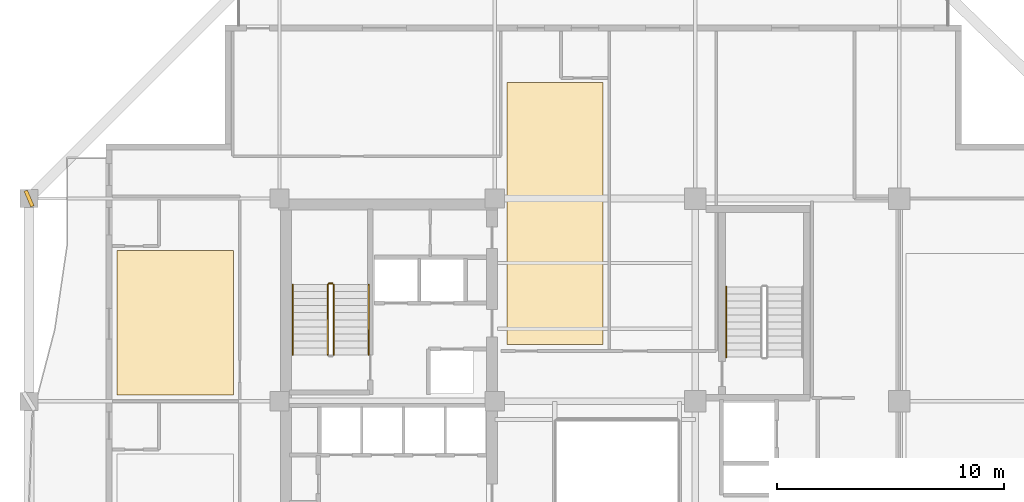
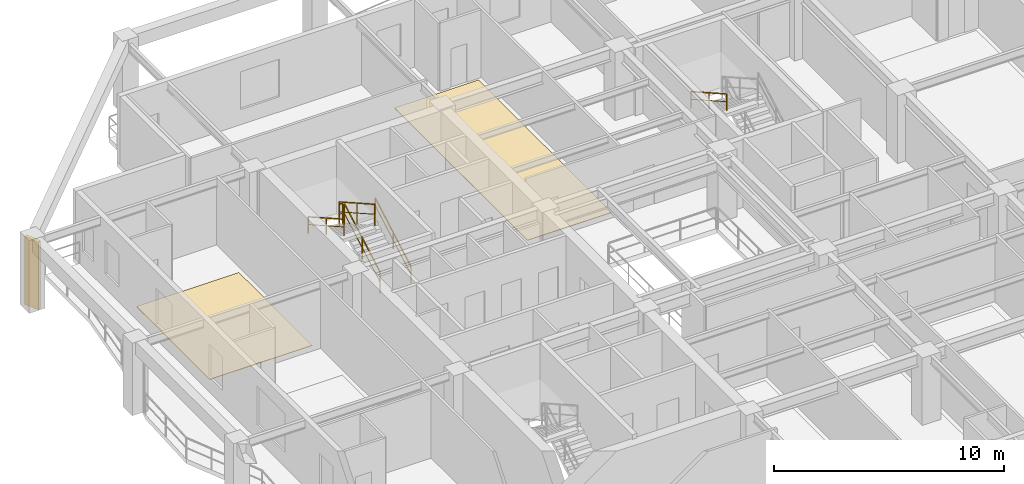
# One storey, part 11 of 13: 6 railings, 2 coverings, 1 shading device.
"""IFC4 building model written with IfcOpenShell, lengths in metres."""

from ifc_helpers import new_model, si_unit, direction, frame, origin, origin_2d, place, context, subcontext, project, spatial, polyline, rectangle, outline, extrude, material, layer, layer_set, type_object, element, save


model = new_model("IFC4")

# Units and contexts
model_context = context("Model", 3, precision=1e-05, world=origin(), true_north=direction((0.0, 1.0)))
body_context = subcontext(model_context, "Body", "Model", "MODEL_VIEW")
ifc_project = project(units=[si_unit("LENGTHUNIT", "METRE"), si_unit("AREAUNIT", "SQUARE_METRE"), si_unit("VOLUMEUNIT", "CUBIC_METRE"), si_unit("PLANEANGLEUNIT", "RADIAN"), si_unit("MASSUNIT", "GRAM", prefix="KILO")], contexts=[model_context])

# Site, building, storey
site_placement = place(None, origin())
site = spatial("IfcSite", under=ifc_project, at=site_placement, CompositionType="ELEMENT")
building_placement = place(site_placement, origin())
building = spatial("IfcBuilding", under=site, at=building_placement, Name="Kundavana Baori Tower", CompositionType="ELEMENT")
storey_placement = place(building_placement, frame((0.0, 0.0, 177.14990234375)))
storey = spatial("IfcBuildingStorey", under=building, at=storey_placement, Name="L43", CompositionType="ELEMENT", Elevation=177.14990234375)

# Coverings
ifc_material_1 = material(Name="Honed Kota Stone and Terrazzo Flooring", Category="masonry")
ifc_layer = layer(ifc_material_1, 0.030029296875, Name="COV-INT-FLR")
ifc_layer_set = layer_set([ifc_layer], Name="Honed Kota Stone and Terrazzo Flooring")
covering_type = type_object("IfcCoveringType", Name="COV-INT-FLR", PredefinedType="FLOORING", material=ifc_layer_set)
covering_1_placement = place(storey_placement, origin())
element("IfcCovering", 1, at=covering_1_placement, inside=storey, type_object=covering_type, Name="L43 Room Finished Stone Flooring 3", PredefinedType="FLOORING", context=body_context, shape_type="SweptSolid", body=[
    extrude(outline(polyline([(8.280029296875, 33.280029296875), (13.419921875, 33.280029296875), (13.419921875, 39.64990234375), (8.280029296875, 39.64990234375), (8.280029296875, 33.280029296875)])), origin(), (0.0, 0.0, 1.0), 0.030029296875),
])
covering_2_placement = place(storey_placement, origin())
element("IfcCovering", 2, at=covering_2_placement, inside=storey, type_object=covering_type, Name="L43 Room Finished Stone Flooring 9", PredefinedType="FLOORING", context=body_context, shape_type="SweptSolid", body=[
    extrude(outline(polyline([(25.5, 35.5), (29.719970703125, 35.5), (29.719970703125, 47.070068359375), (25.5, 47.070068359375), (25.5, 35.5)])), origin(), (0.0, 0.0, 1.0), 0.030029296875),
])

# Railings
ifc_material_2 = material(Name="Architectural Patinated Bronze Metalwork")
railing_type_1 = type_object("IfcRailingType", Name="RL-GRD-1150", PredefinedType="GUARDRAIL", material=ifc_material_2)
railing_1_placement = place(storey_placement, frame((17.840087890625, 35.050048828125, 0.175048828125)))
element("IfcRailing", 3, at=railing_1_placement, inside=storey, type_object=railing_type_1, Name="L43 ST2 stair guard 1", PredefinedType="GUARDRAIL", context=body_context, shape_type="SweptSolid", body=[
    extrude(rectangle(XDim=0.048095703125, YDim=0.048095703125, at=origin_2d()), frame((0.0, 0.0, 1.1259765625), z_axis=(0.0, 0.870814364268, 0.491611984175), x_axis=(-1.0, 0.0, 0.0)), (0.0, 0.0, 1.0), 3.559814453125),
    extrude(rectangle(XDim=0.03125, YDim=0.03125, at=origin_2d()), frame((0.0, 0.0, 0.597900390625), z_axis=(0.0, 0.870814364268, 0.491611984175), x_axis=(-1.0, 0.0, 0.0)), (0.0, 0.0, 1.0), 3.559814453125),
    extrude(rectangle(XDim=0.0419921875, YDim=0.0419921875, at=origin_2d()), origin(), (0.0, 0.0, 1.0), 1.101806640625),
    extrude(rectangle(XDim=0.0419921875, YDim=0.0419921875, at=origin_2d()), frame((0.0, 1.5498046875, 0.875)), (0.0, 0.0, 1.0), 1.101806640625),
    extrude(rectangle(XDim=0.0419921875, YDim=0.0419921875, at=origin_2d()), frame((0.0, 3.099853515625, 1.75)), (0.0, 0.0, 1.0), 1.101806640625),
])
railing_2_placement = place(storey_placement, frame((17.7900390625, 38.199951171875, 1.925048828125)))
element("IfcRailing", 4, at=railing_2_placement, inside=storey, type_object=railing_type_1, Name="L43 ST2 stair guard 2", PredefinedType="GUARDRAIL", context=body_context, shape_type="SweptSolid", body=[
    extrude(rectangle(XDim=0.048095703125, YDim=0.048095703125, at=origin_2d()), frame((0.0, 0.0, 1.1259765625), z_axis=(-1.0, 0.0, 0.0), x_axis=(0.0, -1.0, 0.0)), (0.0, 0.0, 1.0), 0.16015625),
    extrude(rectangle(XDim=0.03125, YDim=0.03125, at=origin_2d()), frame((0.0, 0.0, 0.597900390625), z_axis=(-1.0, 0.0, 0.0), x_axis=(0.0, -1.0, 0.0)), (0.0, 0.0, 1.0), 0.16015625),
    extrude(rectangle(XDim=0.0419921875, YDim=0.0419921875, at=origin_2d()), origin(), (0.0, 0.0, 1.0), 1.101806640625),
    extrude(rectangle(XDim=0.0419921875, YDim=0.0419921875, at=origin_2d()), frame((-0.16015625, 0.0, 0.0)), (0.0, 0.0, 1.0), 1.101806640625),
])
railing_3_placement = place(storey_placement, frame((17.580078125, 38.14990234375, 2.10009765625)))
element("IfcRailing", 5, at=railing_3_placement, inside=storey, type_object=railing_type_1, Name="L43 ST2 stair guard 3", PredefinedType="GUARDRAIL", context=body_context, shape_type="SweptSolid", body=[
    extrude(rectangle(XDim=0.048095703125, YDim=0.048095703125, at=origin_2d()), frame((0.0, 0.0, 1.1259765625), z_axis=(0.0, -0.870814364268, 0.491611984175), x_axis=(1.0, 0.0, 0.0)), (0.0, 0.0, 1.0), 3.559814453125),
    extrude(rectangle(XDim=0.03125, YDim=0.03125, at=origin_2d()), frame((0.0, 0.0, 0.597900390625), z_axis=(0.0, -0.870814364268, 0.491611984175), x_axis=(1.0, 0.0, 0.0)), (0.0, 0.0, 1.0), 3.559814453125),
    extrude(rectangle(XDim=0.0419921875, YDim=0.0419921875, at=origin_2d()), origin(), (0.0, 0.0, 1.0), 1.101806640625),
    extrude(rectangle(XDim=0.0419921875, YDim=0.0419921875, at=origin_2d()), frame((0.0, -1.5498046875, 0.875)), (0.0, 0.0, 1.0), 1.101806640625),
    extrude(rectangle(XDim=0.0419921875, YDim=0.0419921875, at=origin_2d()), frame((0.0, -3.099853515625, 1.75)), (0.0, 0.0, 1.0), 1.101806640625),
])
ifc_material_3 = material(Name="Architectural Patinated Bronze Metalwork")
railing_type_2 = type_object("IfcRailingType", Name="RL-HND-920", PredefinedType="HANDRAIL", material=ifc_material_3)
railing_4_placement = place(storey_placement, frame((19.389892578125, 35.050048828125, 0.175048828125)))
element("IfcRailing", 6, at=railing_4_placement, inside=storey, type_object=railing_type_2, Name="L43 ST2 stair handrail 1", PredefinedType="HANDRAIL", context=body_context, shape_type="SweptSolid", body=[
    extrude(rectangle(XDim=0.048095703125, YDim=0.048095703125, at=origin_2d()), frame((0.0, 0.0, 0.8759765625), z_axis=(0.0, 0.870814364268, 0.491611984175), x_axis=(-1.0, 0.0, 0.0)), (0.0, 0.0, 1.0), 3.559814453125),
    extrude(rectangle(XDim=0.03125, YDim=0.03125, at=origin_2d()), frame((0.0, 0.0, 0.468017578125), z_axis=(0.0, 0.870814364268, 0.491611984175), x_axis=(-1.0, 0.0, 0.0)), (0.0, 0.0, 1.0), 3.559814453125),
    extrude(rectangle(XDim=0.0419921875, YDim=0.0419921875, at=origin_2d()), origin(), (0.0, 0.0, 1.0), 0.851806640625),
    extrude(rectangle(XDim=0.0419921875, YDim=0.0419921875, at=origin_2d()), frame((0.0, 1.5498046875, 0.875)), (0.0, 0.0, 1.0), 0.851806640625),
    extrude(rectangle(XDim=0.0419921875, YDim=0.0419921875, at=origin_2d()), frame((0.0, 3.099853515625, 1.75)), (0.0, 0.0, 1.0), 0.851806640625),
])
railing_5_placement = place(storey_placement, frame((16.030029296875, 38.14990234375, 2.10009765625)))
element("IfcRailing", 7, at=railing_5_placement, inside=storey, type_object=railing_type_2, Name="L43 ST2 stair handrail 2", PredefinedType="HANDRAIL", context=body_context, shape_type="SweptSolid", body=[
    extrude(rectangle(XDim=0.048095703125, YDim=0.048095703125, at=origin_2d()), frame((0.0, 0.0, 0.8759765625), z_axis=(0.0, -0.870814364268, 0.491611984175), x_axis=(1.0, 0.0, 0.0)), (0.0, 0.0, 1.0), 3.559814453125),
    extrude(rectangle(XDim=0.03125, YDim=0.03125, at=origin_2d()), frame((0.0, 0.0, 0.468017578125), z_axis=(0.0, -0.870814364268, 0.491611984175), x_axis=(1.0, 0.0, 0.0)), (0.0, 0.0, 1.0), 3.559814453125),
    extrude(rectangle(XDim=0.0419921875, YDim=0.0419921875, at=origin_2d()), origin(), (0.0, 0.0, 1.0), 0.851806640625),
    extrude(rectangle(XDim=0.0419921875, YDim=0.0419921875, at=origin_2d()), frame((0.0, -1.5498046875, 0.875)), (0.0, 0.0, 1.0), 0.851806640625),
    extrude(rectangle(XDim=0.0419921875, YDim=0.0419921875, at=origin_2d()), frame((0.0, -3.099853515625, 1.75)), (0.0, 0.0, 1.0), 0.851806640625),
])
railing_6_placement = place(storey_placement, frame((35.169921875, 38.050048828125, 2.10009765625)))
element("IfcRailing", 8, at=railing_6_placement, inside=storey, type_object=railing_type_2, Name="L43 ST3 stair handrail 2", PredefinedType="HANDRAIL", context=body_context, shape_type="SweptSolid", body=[
    extrude(rectangle(XDim=0.048095703125, YDim=0.048095703125, at=origin_2d()), frame((0.0, 0.0, 0.8759765625), z_axis=(0.0, -0.870830938388, 0.491582624537), x_axis=(1.0, 0.0, 0.0)), (0.0, 0.0, 1.0), 3.559814453125),
    extrude(rectangle(XDim=0.03125, YDim=0.03125, at=origin_2d()), frame((0.0, 0.0, 0.468017578125), z_axis=(0.0, -0.870830938388, 0.491582624537), x_axis=(1.0, 0.0, 0.0)), (0.0, 0.0, 1.0), 3.559814453125),
    extrude(rectangle(XDim=0.0419921875, YDim=0.0419921875, at=origin_2d()), origin(), (0.0, 0.0, 1.0), 0.851806640625),
    extrude(rectangle(XDim=0.0419921875, YDim=0.0419921875, at=origin_2d()), frame((0.0, -1.550048828125, 0.875)), (0.0, 0.0, 1.0), 0.851806640625),
    extrude(rectangle(XDim=0.0419921875, YDim=0.0419921875, at=origin_2d()), frame((0.0, -3.10009765625, 1.75)), (0.0, 0.0, 1.0), 0.851806640625),
])

# Shading device
ifc_material_4 = material(Name="Red-Buff Dholpur Sandstone Cladding on Concrete C40/50", Category="masonry")
shading_device_type = type_object("IfcShadingDeviceType", Name="SHD-FIN-750", PredefinedType="JALOUSIE", material=ifc_material_4)
shading_device_placement = place(storey_placement, frame((4.39990234375, 41.949951171875, 0.0), z_axis=(0.0, 0.0, 1.0), x_axis=(0.918584396813, 0.395224880204, 0.0)))
element("IfcShadingDevice", 9, at=shading_device_placement, inside=storey, type_object=shading_device_type, Name="L43 Sweeping Dholpur Sandstone Facade Fin 8", PredefinedType="JALOUSIE", context=body_context, shape_type="SweptSolid", body=[
    extrude(rectangle(XDim=0.159912109375, YDim=0.75, at=origin_2d()), origin(), (0.0, 0.0, 1.0), 3.60009765625),
])

save(model, "model.ifc")
